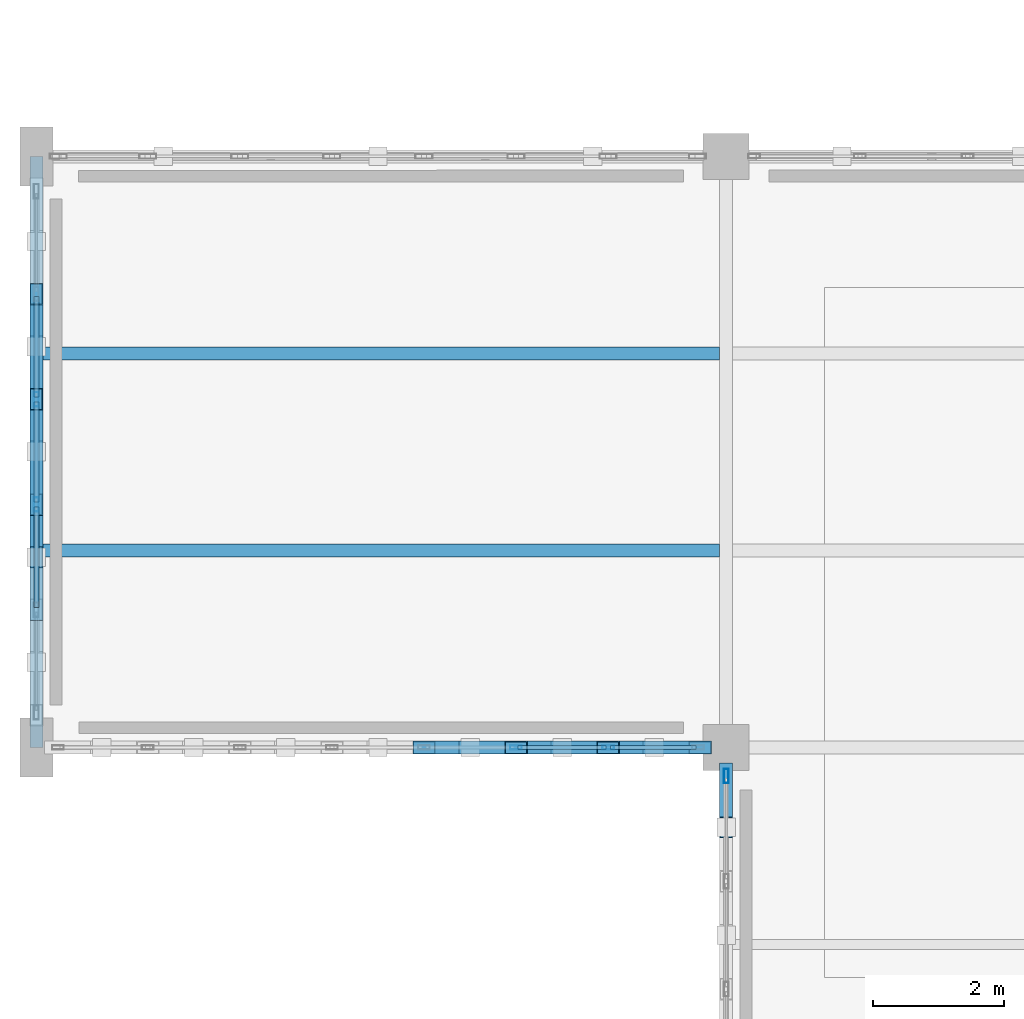
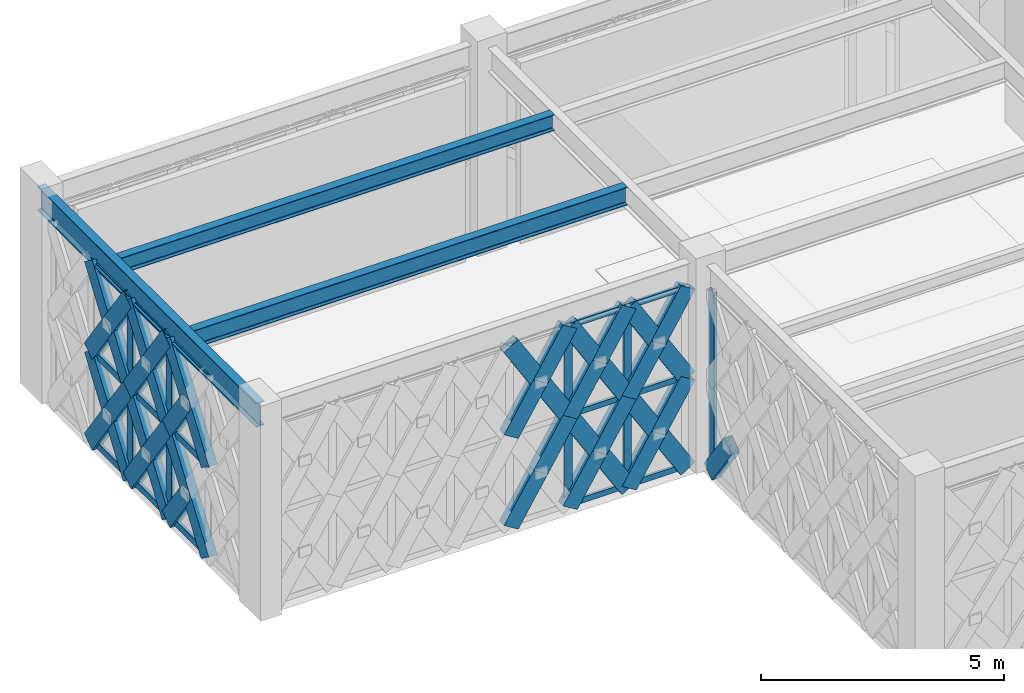
# One storey, part 5 of 72: 54 members, 3 beams, 3 elements without a shape of their own.
"""IFC4 building model written with IfcOpenShell, lengths in metres."""

from ifc_helpers import new_model, si_unit, direction, frame, origin, origin_2d, place, context, subcontext, project, spatial, hollow_rectangle, i_section, extrude, material, material_profile, profile_set, type_object, element, aggregate, save


model = new_model("IFC4")

# Units and contexts
model_context = context("Model", 3, precision=1e-05, world=origin(), true_north=direction((0.0, 1.0)))
body_context = subcontext(model_context, "Body", "Model", "MODEL_VIEW")
ifc_project = project(units=[si_unit("LENGTHUNIT", "METRE"), si_unit("AREAUNIT", "SQUARE_METRE"), si_unit("VOLUMEUNIT", "CUBIC_METRE"), si_unit("PLANEANGLEUNIT", "RADIAN"), si_unit("MASSUNIT", "GRAM", prefix="KILO")], contexts=[model_context])

# Site, building, storey
site_placement = place(None, origin())
site = spatial("IfcSite", under=ifc_project, at=site_placement, CompositionType="ELEMENT")
building_placement = place(site_placement, origin())
building = spatial("IfcBuilding", under=site, at=building_placement, Name="Haizhuo Lancet Aquarium", CompositionType="ELEMENT")
storey_placement = place(building_placement, frame((0.0, 0.0, 21.60009765625)))
storey = spatial("IfcBuildingStorey", under=building, at=storey_placement, Name="L04", CompositionType="ELEMENT", Elevation=21.60009765625)

# Beam
ifc_material_1 = material(Name="Steel S355", Category="steel")
ifc_material_profile_1 = material_profile(ifc_material_1, i_section(OverallWidth=0.199951171875, OverallDepth=0.60009765625, WebThickness=0.010986328125, FlangeThickness=0.01708984375, FilletRadius=0.02197265625, at=origin_2d()), Name="HN 600x200x11x17")
ifc_profile_set_1 = profile_set([ifc_material_profile_1], Name="Steel S355")
beam_type_1 = type_object("IfcBeamType", Name="BM-ST-HN600", PredefinedType="BEAM", material=ifc_profile_set_1)
beam_1_placement = place(storey_placement, frame((-82.5, -18.0, 4.849853515625), z_axis=(0.0, 1.0, 0.0), x_axis=(-1.0, 0.0, 0.0)))
element("IfcBeam", 1, at=beam_1_placement, inside=storey, type_object=beam_type_1, Name="L04 V6 primary girder BM-L04-V6-001", PredefinedType="BEAM", context=body_context, shape_type="SweptSolid", body=[
    extrude(i_section(OverallWidth=0.199951171875, OverallDepth=0.60009765625, WebThickness=0.010986328125, FlangeThickness=0.01708984375, FilletRadius=0.02197265625, at=origin_2d()), origin(), (0.0, 0.0, 1.0), 9.0),
])

# Curtain wall, members
ifc_material_2 = material(Name="Aluminium 6063-T6", Category="aluminium")
curtain_wall_type_1 = type_object("IfcCurtainWallType", Name="CWD-9810x4550", PredefinedType="NOTDEFINED", material=ifc_material_2)
curtain_wall_1_placement = place(storey_placement, origin())
curtain_wall_1 = element("IfcCurtainWall", 2, at=curtain_wall_1_placement, inside=storey, type_object=curtain_wall_type_1, Name="L04 curtain wall CW-V6-L04-244", PredefinedType="NOTDEFINED")
ifc_material_profile_2 = material_profile(ifc_material_2, hollow_rectangle(XDim=0.06494140625, YDim=0.179931640625, WallThickness=0.00390625, at=origin_2d()), Name="ALU-M 65x180x4")
ifc_profile_set_2 = profile_set([ifc_material_profile_2], Name="Aluminium 6063-T6")
member_type_1 = type_object("IfcMemberType", Name="CW-MUL-1", PredefinedType="MULLION", material=ifc_profile_set_2)
member_1_placement = place(storey_placement, frame((-73.7958984375, -18.0, 0.0), z_axis=(0.0, 0.0, 1.0), x_axis=(0.0, -1.0, 0.0)))
member_1 = element("IfcMember", 3, at=member_1_placement, type_object=member_type_1, Name="CWD-98x45 mullion 2", PredefinedType="MULLION", context=body_context, shape_type="SweptSolid", body=[
    extrude(hollow_rectangle(XDim=0.06494140625, YDim=0.179931640625, WallThickness=0.00390625, at=origin_2d()), origin(), (0.0, 0.0, 1.0), 4.5498046875),
])
member_2_placement = place(storey_placement, frame((-75.197998046875, -18.0, 0.0), z_axis=(0.0, 0.0, 1.0), x_axis=(0.0, -1.0, 0.0)))
member_2 = element("IfcMember", 4, at=member_2_placement, type_object=member_type_1, Name="CWD-98x45 mullion 3", PredefinedType="MULLION", context=body_context, shape_type="SweptSolid", body=[
    extrude(hollow_rectangle(XDim=0.06494140625, YDim=0.179931640625, WallThickness=0.00390625, at=origin_2d()), origin(), (0.0, 0.0, 1.0), 4.5498046875),
])

curtain_wall_type_2 = type_object("IfcCurtainWallType", Name="CWD-8010x4550", PredefinedType="NOTDEFINED", material=ifc_material_2)
curtain_wall_2_placement = place(storey_placement, origin())
curtain_wall_2 = element("IfcCurtainWall", 5, at=curtain_wall_2_placement, inside=storey, type_object=curtain_wall_type_2, Name="L04 curtain wall CW-V6-L04-245", PredefinedType="NOTDEFINED")
ifc_material_profile_3 = material_profile(ifc_material_2, hollow_rectangle(XDim=0.074951171875, YDim=0.219970703125, WallThickness=0.0048828125, at=origin_2d()), Name="ALU-M 75x220x5")
ifc_profile_set_3 = profile_set([ifc_material_profile_3], Name="Aluminium 6063-T6")
member_type_2 = type_object("IfcMemberType", Name="CW-MUL-2", PredefinedType="MULLION", material=ifc_profile_set_3)
member_3_placement = place(storey_placement, frame((-82.5, -14.301025390625, 0.0), z_axis=(0.0, 0.0, 1.0), x_axis=(-1.0, 0.0, 0.0)))
member_3 = element("IfcMember", 6, at=member_3_placement, type_object=member_type_2, Name="CWD-80x45 mullion 3", PredefinedType="MULLION", context=body_context, shape_type="SweptSolid", body=[
    extrude(hollow_rectangle(XDim=0.074951171875, YDim=0.219970703125, WallThickness=0.0048828125, at=origin_2d()), origin(), (0.0, 0.0, 1.0), 4.5498046875),
])
member_4_placement = place(storey_placement, frame((-82.5, -12.698974609375, 0.0), z_axis=(0.0, 0.0, 1.0), x_axis=(-1.0, 0.0, 0.0)))
member_4 = element("IfcMember", 7, at=member_4_placement, type_object=member_type_2, Name="CWD-80x45 mullion 4", PredefinedType="MULLION", context=body_context, shape_type="SweptSolid", body=[
    extrude(hollow_rectangle(XDim=0.074951171875, YDim=0.219970703125, WallThickness=0.0048828125, at=origin_2d()), origin(), (0.0, 0.0, 1.0), 4.5498046875),
])

# Curtain wall, member
curtain_wall_type_3 = type_object("IfcCurtainWallType", Name="CWD-8210x4550", PredefinedType="NOTDEFINED", material=ifc_material_2)
curtain_wall_3_placement = place(storey_placement, origin())
curtain_wall_3 = element("IfcCurtainWall", 8, at=curtain_wall_3_placement, inside=storey, type_object=curtain_wall_type_3, Name="L04 curtain wall CW-V6-L04-257", PredefinedType="NOTDEFINED")
member_5_placement = place(storey_placement, frame((-72.0, -18.431884765625, 0.0), z_axis=(0.0, 0.0, 1.0), x_axis=(-1.0, 0.0, 0.0)))
member_5 = element("IfcMember", 9, at=member_5_placement, type_object=member_type_2, Name="CWD-82x45 mullion 6", PredefinedType="MULLION", context=body_context, shape_type="SweptSolid", body=[
    extrude(hollow_rectangle(XDim=0.074951171875, YDim=0.219970703125, WallThickness=0.0048828125, at=origin_2d()), origin(), (0.0, 0.0, 1.0), 4.5498046875),
])
aggregate(curtain_wall_3, [member_5])

# Member
ifc_material_profile_4 = material_profile(ifc_material_2, hollow_rectangle(XDim=0.06494140625, YDim=0.139892578125, WallThickness=0.00390625, at=origin_2d()), Name="ALU-T 65x140x4")
ifc_profile_set_4 = profile_set([ifc_material_profile_4], Name="Aluminium 6063-T6")
member_type_3 = type_object("IfcMemberType", Name="CW-TRN-1", PredefinedType="NOTDEFINED", material=ifc_profile_set_4)
member_6_placement = place(storey_placement, frame((-72.4599609375, -18.0, 0.032958984375), z_axis=(-1.0, 0.0, 0.0), x_axis=(0.0, -1.0, 0.0)))
member_6 = element("IfcMember", 10, at=member_6_placement, type_object=member_type_3, Name="CWD-98x45 transom 1.1", ObjectType="TRANSOM", PredefinedType="USERDEFINED", context=body_context, shape_type="SweptSolid", body=[
    extrude(hollow_rectangle(XDim=0.06494140625, YDim=0.139892578125, WallThickness=0.00390625, at=origin_2d()), origin(), (0.0, 0.0, 1.0), 1.303955078125),
])

member_7_placement = place(storey_placement, frame((-72.4599609375, -18.0, 2.27490234375), z_axis=(-1.0, 0.0, 0.0), x_axis=(0.0, -1.0, 0.0)))
member_7 = element("IfcMember", 11, at=member_7_placement, type_object=member_type_3, Name="CWD-98x45 transom 1.2", ObjectType="TRANSOM", PredefinedType="USERDEFINED", context=body_context, shape_type="SweptSolid", body=[
    extrude(hollow_rectangle(XDim=0.06494140625, YDim=0.139892578125, WallThickness=0.00390625, at=origin_2d()), origin(), (0.0, 0.0, 1.0), 1.303955078125),
])

member_8_placement = place(storey_placement, frame((-72.4599609375, -18.0, 4.516845703125), z_axis=(-1.0, 0.0, 0.0), x_axis=(0.0, -1.0, 0.0)))
member_8 = element("IfcMember", 12, at=member_8_placement, type_object=member_type_3, Name="CWD-98x45 transom 1.3", ObjectType="TRANSOM", PredefinedType="USERDEFINED", context=body_context, shape_type="SweptSolid", body=[
    extrude(hollow_rectangle(XDim=0.06494140625, YDim=0.139892578125, WallThickness=0.00390625, at=origin_2d()), origin(), (0.0, 0.0, 1.0), 1.303955078125),
])

member_9_placement = place(storey_placement, frame((-73.8291015625, -18.0, 0.032958984375), z_axis=(-1.0, 0.0, 0.0), x_axis=(0.0, -1.0, 0.0)))
member_9 = element("IfcMember", 13, at=member_9_placement, type_object=member_type_3, Name="CWD-98x45 transom 2.1", ObjectType="TRANSOM", PredefinedType="USERDEFINED", context=body_context, shape_type="SweptSolid", body=[
    extrude(hollow_rectangle(XDim=0.06494140625, YDim=0.139892578125, WallThickness=0.00390625, at=origin_2d()), origin(), (0.0, 0.0, 1.0), 1.3359375),
])

member_10_placement = place(storey_placement, frame((-73.8291015625, -18.0, 2.27490234375), z_axis=(-1.0, 0.0, 0.0), x_axis=(0.0, -1.0, 0.0)))
member_10 = element("IfcMember", 14, at=member_10_placement, type_object=member_type_3, Name="CWD-98x45 transom 2.2", ObjectType="TRANSOM", PredefinedType="USERDEFINED", context=body_context, shape_type="SweptSolid", body=[
    extrude(hollow_rectangle(XDim=0.06494140625, YDim=0.139892578125, WallThickness=0.00390625, at=origin_2d()), origin(), (0.0, 0.0, 1.0), 1.3359375),
])

member_11_placement = place(storey_placement, frame((-73.8291015625, -18.0, 4.516845703125), z_axis=(-1.0, 0.0, 0.0), x_axis=(0.0, -1.0, 0.0)))
member_11 = element("IfcMember", 15, at=member_11_placement, type_object=member_type_3, Name="CWD-98x45 transom 2.3", ObjectType="TRANSOM", PredefinedType="USERDEFINED", context=body_context, shape_type="SweptSolid", body=[
    extrude(hollow_rectangle(XDim=0.06494140625, YDim=0.139892578125, WallThickness=0.00390625, at=origin_2d()), origin(), (0.0, 0.0, 1.0), 1.3359375),
])

aggregate(curtain_wall_1, [member_1, member_2, member_6, member_7, member_8, member_9, member_10, member_11])

ifc_material_profile_5 = material_profile(ifc_material_2, hollow_rectangle(XDim=0.074951171875, YDim=0.159912109375, WallThickness=0.00390625, at=origin_2d()), Name="ALU-T 75x160x4")
ifc_profile_set_5 = profile_set([ifc_material_profile_5], Name="Aluminium 6063-T6")
member_type_4 = type_object("IfcMemberType", Name="CW-TRN-2", PredefinedType="NOTDEFINED", material=ifc_profile_set_5)
member_12_placement = place(storey_placement, frame((-82.5, -15.864990234375, 0.037841796875), z_axis=(0.0, 1.0, 0.0), x_axis=(-1.0, 0.0, 0.0)))
member_12 = element("IfcMember", 16, at=member_12_placement, type_object=member_type_4, Name="CWD-80x45 transom 2.1", ObjectType="TRANSOM", PredefinedType="USERDEFINED", context=body_context, shape_type="SweptSolid", body=[
    extrude(hollow_rectangle(XDim=0.074951171875, YDim=0.159912109375, WallThickness=0.00390625, at=origin_2d()), origin(), (0.0, 0.0, 1.0), 1.527099609375),
])

member_13_placement = place(storey_placement, frame((-82.5, -15.864990234375, 2.27490234375), z_axis=(0.0, 1.0, 0.0), x_axis=(-1.0, 0.0, 0.0)))
member_13 = element("IfcMember", 17, at=member_13_placement, type_object=member_type_4, Name="CWD-80x45 transom 2.2", ObjectType="TRANSOM", PredefinedType="USERDEFINED", context=body_context, shape_type="SweptSolid", body=[
    extrude(hollow_rectangle(XDim=0.074951171875, YDim=0.159912109375, WallThickness=0.00390625, at=origin_2d()), origin(), (0.0, 0.0, 1.0), 1.527099609375),
])

member_14_placement = place(storey_placement, frame((-82.5, -15.864990234375, 4.511962890625), z_axis=(0.0, 1.0, 0.0), x_axis=(-1.0, 0.0, 0.0)))
member_14 = element("IfcMember", 18, at=member_14_placement, type_object=member_type_4, Name="CWD-80x45 transom 2.3", ObjectType="TRANSOM", PredefinedType="USERDEFINED", context=body_context, shape_type="SweptSolid", body=[
    extrude(hollow_rectangle(XDim=0.074951171875, YDim=0.159912109375, WallThickness=0.00390625, at=origin_2d()), origin(), (0.0, 0.0, 1.0), 1.527099609375),
])

member_15_placement = place(storey_placement, frame((-82.5, -14.262939453125, 0.037841796875), z_axis=(0.0, 1.0, 0.0), x_axis=(-1.0, 0.0, 0.0)))
member_15 = element("IfcMember", 19, at=member_15_placement, type_object=member_type_4, Name="CWD-80x45 transom 3.1", ObjectType="TRANSOM", PredefinedType="USERDEFINED", context=body_context, shape_type="SweptSolid", body=[
    extrude(hollow_rectangle(XDim=0.074951171875, YDim=0.159912109375, WallThickness=0.00390625, at=origin_2d()), origin(), (0.0, 0.0, 1.0), 1.52685546875),
])

member_16_placement = place(storey_placement, frame((-82.5, -14.262939453125, 2.27490234375), z_axis=(0.0, 1.0, 0.0), x_axis=(-1.0, 0.0, 0.0)))
member_16 = element("IfcMember", 20, at=member_16_placement, type_object=member_type_4, Name="CWD-80x45 transom 3.2", ObjectType="TRANSOM", PredefinedType="USERDEFINED", context=body_context, shape_type="SweptSolid", body=[
    extrude(hollow_rectangle(XDim=0.074951171875, YDim=0.159912109375, WallThickness=0.00390625, at=origin_2d()), origin(), (0.0, 0.0, 1.0), 1.52685546875),
])

member_17_placement = place(storey_placement, frame((-82.5, -14.262939453125, 4.511962890625), z_axis=(0.0, 1.0, 0.0), x_axis=(-1.0, 0.0, 0.0)))
member_17 = element("IfcMember", 21, at=member_17_placement, type_object=member_type_4, Name="CWD-80x45 transom 3.3", ObjectType="TRANSOM", PredefinedType="USERDEFINED", context=body_context, shape_type="SweptSolid", body=[
    extrude(hollow_rectangle(XDim=0.074951171875, YDim=0.159912109375, WallThickness=0.00390625, at=origin_2d()), origin(), (0.0, 0.0, 1.0), 1.52685546875),
])

member_18_placement = place(storey_placement, frame((-82.5, -12.662109375, 0.037841796875), z_axis=(0.0, 1.0, 0.0), x_axis=(-1.0, 0.0, 0.0)))
member_18 = element("IfcMember", 22, at=member_18_placement, type_object=member_type_4, Name="CWD-80x45 transom 4.1", ObjectType="TRANSOM", PredefinedType="USERDEFINED", context=body_context, shape_type="SweptSolid", body=[
    extrude(hollow_rectangle(XDim=0.074951171875, YDim=0.159912109375, WallThickness=0.00390625, at=origin_2d()), origin(), (0.0, 0.0, 1.0), 1.528076171875),
])

member_19_placement = place(storey_placement, frame((-82.5, -12.662109375, 2.27490234375), z_axis=(0.0, 1.0, 0.0), x_axis=(-1.0, 0.0, 0.0)))
member_19 = element("IfcMember", 23, at=member_19_placement, type_object=member_type_4, Name="CWD-80x45 transom 4.2", ObjectType="TRANSOM", PredefinedType="USERDEFINED", context=body_context, shape_type="SweptSolid", body=[
    extrude(hollow_rectangle(XDim=0.074951171875, YDim=0.159912109375, WallThickness=0.00390625, at=origin_2d()), origin(), (0.0, 0.0, 1.0), 1.528076171875),
])

member_20_placement = place(storey_placement, frame((-82.5, -12.662109375, 4.511962890625), z_axis=(0.0, 1.0, 0.0), x_axis=(-1.0, 0.0, 0.0)))
member_20 = element("IfcMember", 24, at=member_20_placement, type_object=member_type_4, Name="CWD-80x45 transom 4.3", ObjectType="TRANSOM", PredefinedType="USERDEFINED", context=body_context, shape_type="SweptSolid", body=[
    extrude(hollow_rectangle(XDim=0.074951171875, YDim=0.159912109375, WallThickness=0.00390625, at=origin_2d()), origin(), (0.0, 0.0, 1.0), 1.528076171875),
])

aggregate(curtain_wall_2, [member_3, member_4, member_12, member_13, member_14, member_15, member_16, member_17, member_18, member_19, member_20])

# Beams
ifc_material_profile_6 = material_profile(ifc_material_1, i_section(OverallWidth=0.199951171875, OverallDepth=0.39990234375, WebThickness=0.008056640625, FlangeThickness=0.012939453125, FilletRadius=0.01611328125, at=origin_2d()), Name="HN 400x200x8x13")
ifc_profile_set_6 = profile_set([ifc_material_profile_6], Name="Steel S355")
beam_type_2 = type_object("IfcBeamType", Name="JST-ST-HN400", PredefinedType="JOIST", material=ifc_profile_set_6)
beam_2_placement = place(storey_placement, frame((-82.39990234375, -12.0, 4.949951171875), z_axis=(1.0, 0.0, 0.0), x_axis=(0.0, 1.0, 0.0)))
element("IfcBeam", 25, at=beam_2_placement, inside=storey, type_object=beam_type_2, Name="L04 V6 secondary floor joist 2", PredefinedType="JOIST", context=body_context, shape_type="SweptSolid", body=[
    extrude(i_section(OverallWidth=0.199951171875, OverallDepth=0.39990234375, WebThickness=0.008056640625, FlangeThickness=0.012939453125, FilletRadius=0.01611328125, at=origin_2d()), origin(), (0.0, 0.0, 1.0), 10.2998046875),
])
ifc_material_profile_7 = material_profile(ifc_material_1, i_section(OverallWidth=0.199951171875, OverallDepth=0.449951171875, WebThickness=0.009033203125, FlangeThickness=0.013916015625, FilletRadius=0.01806640625, at=origin_2d()), Name="HN 450x200x9x14")
ifc_profile_set_7 = profile_set([ifc_material_profile_7], Name="Steel S355")
beam_type_3 = type_object("IfcBeamType", Name="JST-ST-HN450", PredefinedType="JOIST", material=ifc_profile_set_7)
beam_3_placement = place(storey_placement, frame((-82.39990234375, -15.0, 4.9248046875), z_axis=(1.0, 0.0, 0.0), x_axis=(0.0, 1.0, 0.0)))
element("IfcBeam", 26, at=beam_3_placement, inside=storey, type_object=beam_type_3, Name="L04 V6 secondary floor joist 1", PredefinedType="JOIST", context=body_context, shape_type="SweptSolid", body=[
    extrude(i_section(OverallWidth=0.199951171875, OverallDepth=0.449951171875, WebThickness=0.009033203125, FlangeThickness=0.013916015625, FilletRadius=0.01806640625, at=origin_2d()), origin(), (0.0, 0.0, 1.0), 10.2998046875),
])

# Members
ifc_material_profile_8 = material_profile(ifc_material_1, hollow_rectangle(XDim=0.199951171875, YDim=0.39990234375, WallThickness=0.011962890625, at=origin_2d()), Name="RHS 200x400x12")
ifc_profile_set_8 = profile_set([ifc_material_profile_8], Name="Steel S355")
member_type_5 = type_object("IfcMemberType", Name="MEM-LB-RHS200x400", PredefinedType="BRACE", material=ifc_profile_set_8)
member_21_placement = place(storey_placement, frame((-72.39501953125, -18.0, 0.0), z_axis=(-0.524352331685, 0.0, 0.851501398857), x_axis=(0.0, -1.0, 0.0)))
element("IfcMember", 27, at=member_21_placement, inside=storey, type_object=member_type_5, Name="Gothic lancet continuous diagonal brace CW-V6-L04-244 1A", PredefinedType="BRACE", context=body_context, shape_type="SweptSolid", body=[
    extrude(hollow_rectangle(XDim=0.199951171875, YDim=0.39990234375, WallThickness=0.011962890625, at=origin_2d()), origin(), (0.0, 0.0, 1.0), 2.671630859375),
])
member_22_placement = place(storey_placement, frame((-73.7958984375, -18.0, 0.0), z_axis=(0.523924083499, 0.0, 0.851764964488), x_axis=(0.0, 1.0, 0.0)))
element("IfcMember", 28, at=member_22_placement, inside=storey, type_object=member_type_5, Name="Gothic lancet split diagonal brace CW-V6-L04-244 1B1", PredefinedType="BRACE", context=body_context, shape_type="SweptSolid", body=[
    extrude(hollow_rectangle(XDim=0.199951171875, YDim=0.39990234375, WallThickness=0.011962890625, at=origin_2d()), origin(), (0.0, 0.0, 1.0), 1.3359375),
])
member_23_placement = place(storey_placement, frame((-73.095947265625, -18.0, 1.137939453125), z_axis=(0.524780549669, 0.0, 0.851237554792), x_axis=(0.0, 1.0, 0.0)))
element("IfcMember", 29, at=member_23_placement, inside=storey, type_object=member_type_5, Name="Gothic lancet split diagonal brace CW-V6-L04-244 1B2", PredefinedType="BRACE", context=body_context, shape_type="SweptSolid", body=[
    extrude(hollow_rectangle(XDim=0.199951171875, YDim=0.39990234375, WallThickness=0.011962890625, at=origin_2d()), origin(), (0.0, 0.0, 1.0), 1.335693359375),
])
member_24_placement = place(storey_placement, frame((-72.39501953125, -18.0, 2.27490234375), z_axis=(-0.524352331685, 0.0, 0.851501398857), x_axis=(0.0, -1.0, 0.0)))
element("IfcMember", 30, at=member_24_placement, inside=storey, type_object=member_type_5, Name="Gothic lancet continuous diagonal brace CW-V6-L04-244 2A", PredefinedType="BRACE", context=body_context, shape_type="SweptSolid", body=[
    extrude(hollow_rectangle(XDim=0.199951171875, YDim=0.39990234375, WallThickness=0.011962890625, at=origin_2d()), origin(), (0.0, 0.0, 1.0), 2.671630859375),
])
member_25_placement = place(storey_placement, frame((-73.7958984375, -18.0, 2.27490234375), z_axis=(0.524250451866, 0.0, 0.851564127778), x_axis=(0.0, 1.0, 0.0)))
element("IfcMember", 31, at=member_25_placement, inside=storey, type_object=member_type_5, Name="Gothic lancet split diagonal brace CW-V6-L04-244 2B1", PredefinedType="BRACE", context=body_context, shape_type="SweptSolid", body=[
    extrude(hollow_rectangle(XDim=0.199951171875, YDim=0.39990234375, WallThickness=0.011962890625, at=origin_2d()), origin(), (0.0, 0.0, 1.0), 1.335205078125),
])
member_26_placement = place(storey_placement, frame((-73.095947265625, -18.0, 3.411865234375), z_axis=(0.524454101588, 0.0, 0.851438720829), x_axis=(0.0, 1.0, 0.0)))
element("IfcMember", 32, at=member_26_placement, inside=storey, type_object=member_type_5, Name="Gothic lancet split diagonal brace CW-V6-L04-244 2B2", PredefinedType="BRACE", context=body_context, shape_type="SweptSolid", body=[
    extrude(hollow_rectangle(XDim=0.199951171875, YDim=0.39990234375, WallThickness=0.011962890625, at=origin_2d()), origin(), (0.0, 0.0, 1.0), 1.33642578125),
])
member_27_placement = place(storey_placement, frame((-73.7958984375, -18.0, 0.0), z_axis=(-0.524683498881, 0.0, 0.851297378125), x_axis=(0.0, -1.0, 0.0)))
element("IfcMember", 33, at=member_27_placement, inside=storey, type_object=member_type_5, Name="Gothic lancet continuous diagonal brace CW-V6-L04-244 3A", PredefinedType="BRACE", context=body_context, shape_type="SweptSolid", body=[
    extrude(hollow_rectangle(XDim=0.199951171875, YDim=0.39990234375, WallThickness=0.011962890625, at=origin_2d()), origin(), (0.0, 0.0, 1.0), 2.67236328125),
])
member_28_placement = place(storey_placement, frame((-75.197998046875, -18.0, 0.0), z_axis=(0.524454101588, 0.0, 0.851438720829), x_axis=(0.0, 1.0, 0.0)))
element("IfcMember", 34, at=member_28_placement, inside=storey, type_object=member_type_5, Name="Gothic lancet split diagonal brace CW-V6-L04-244 3B1", PredefinedType="BRACE", context=body_context, shape_type="SweptSolid", body=[
    extrude(hollow_rectangle(XDim=0.199951171875, YDim=0.39990234375, WallThickness=0.011962890625, at=origin_2d()), origin(), (0.0, 0.0, 1.0), 1.33642578125),
])
member_29_placement = place(storey_placement, frame((-74.4970703125, -18.0, 1.137939453125), z_axis=(0.524912978821, 0.0, 0.851155899154), x_axis=(0.0, 1.0, 0.0)))
element("IfcMember", 35, at=member_29_placement, inside=storey, type_object=member_type_5, Name="Gothic lancet split diagonal brace CW-V6-L04-244 3B2", PredefinedType="BRACE", context=body_context, shape_type="SweptSolid", body=[
    extrude(hollow_rectangle(XDim=0.199951171875, YDim=0.39990234375, WallThickness=0.011962890625, at=origin_2d()), origin(), (0.0, 0.0, 1.0), 1.335693359375),
])
member_30_placement = place(storey_placement, frame((-73.7958984375, -18.0, 2.27490234375), z_axis=(-0.524683498881, 0.0, 0.851297378125), x_axis=(0.0, -1.0, 0.0)))
element("IfcMember", 36, at=member_30_placement, inside=storey, type_object=member_type_5, Name="Gothic lancet continuous diagonal brace CW-V6-L04-244 4A", PredefinedType="BRACE", context=body_context, shape_type="SweptSolid", body=[
    extrude(hollow_rectangle(XDim=0.199951171875, YDim=0.39990234375, WallThickness=0.011962890625, at=origin_2d()), origin(), (0.0, 0.0, 1.0), 2.67236328125),
])
member_31_placement = place(storey_placement, frame((-75.197998046875, -18.0, 2.27490234375), z_axis=(0.524780549669, 0.0, 0.851237554792), x_axis=(0.0, 1.0, 0.0)))
element("IfcMember", 37, at=member_31_placement, inside=storey, type_object=member_type_5, Name="Gothic lancet split diagonal brace CW-V6-L04-244 4B1", PredefinedType="BRACE", context=body_context, shape_type="SweptSolid", body=[
    extrude(hollow_rectangle(XDim=0.199951171875, YDim=0.39990234375, WallThickness=0.011962890625, at=origin_2d()), origin(), (0.0, 0.0, 1.0), 1.335693359375),
])
for number, where, z_axis, x_axis, name in (
    (38, (-74.4970703125, -18.0, 3.411865234375), (0.524586510944, 0.0, 0.851357147462), (0.0, 1.0, 0.0), "Gothic lancet split diagonal brace CW-V6-L04-244 4B2"),
    (39, (-76.59912109375, -18.0, 0.0), (0.524586510944, 0.0, 0.851357147462), (0.0, 1.0, 0.0), "Gothic lancet split diagonal brace CW-V6-L04-244 5B1"),
):
    element("IfcMember", number, at=place(storey_placement, frame(where, z_axis=z_axis, x_axis=x_axis)), inside=storey, type_object=member_type_5, Name=name, PredefinedType="BRACE", context=body_context, shape_type="SweptSolid", body=[
        extrude(hollow_rectangle(XDim=0.199951171875, YDim=0.39990234375, WallThickness=0.011962890625, at=origin_2d()), origin(), (0.0, 0.0, 1.0), 1.336669921875),
    ])
member_32_placement = place(storey_placement, frame((-75.89794921875, -18.0, 1.137939453125), z_axis=(0.524250451866, 0.0, 0.851564127778), x_axis=(0.0, 1.0, 0.0)))
element("IfcMember", 40, at=member_32_placement, inside=storey, type_object=member_type_5, Name="Gothic lancet split diagonal brace CW-V6-L04-244 5B2", PredefinedType="BRACE", context=body_context, shape_type="SweptSolid", body=[
    extrude(hollow_rectangle(XDim=0.199951171875, YDim=0.39990234375, WallThickness=0.011962890625, at=origin_2d()), origin(), (0.0, 0.0, 1.0), 1.335205078125),
])
member_33_placement = place(storey_placement, frame((-75.197998046875, -18.0, 2.27490234375), z_axis=(-0.524418584171, 0.0, 0.851460597195), x_axis=(0.0, -1.0, 0.0)))
element("IfcMember", 41, at=member_33_placement, inside=storey, type_object=member_type_5, Name="Gothic lancet continuous diagonal brace CW-V6-L04-244 6A", PredefinedType="BRACE", context=body_context, shape_type="SweptSolid", body=[
    extrude(hollow_rectangle(XDim=0.199951171875, YDim=0.39990234375, WallThickness=0.011962890625, at=origin_2d()), origin(), (0.0, 0.0, 1.0), 2.671875),
])
member_34_placement = place(storey_placement, frame((-76.59912109375, -18.0, 2.27490234375), z_axis=(0.524912978821, 0.0, 0.851155899154), x_axis=(0.0, 1.0, 0.0)))
element("IfcMember", 42, at=member_34_placement, inside=storey, type_object=member_type_5, Name="Gothic lancet split diagonal brace CW-V6-L04-244 6B1", PredefinedType="BRACE", context=body_context, shape_type="SweptSolid", body=[
    extrude(hollow_rectangle(XDim=0.199951171875, YDim=0.39990234375, WallThickness=0.011962890625, at=origin_2d()), origin(), (0.0, 0.0, 1.0), 1.335693359375),
])
member_35_placement = place(storey_placement, frame((-75.89794921875, -18.0, 3.411865234375), z_axis=(0.523924083499, 0.0, 0.851764964488), x_axis=(0.0, 1.0, 0.0)))
element("IfcMember", 43, at=member_35_placement, inside=storey, type_object=member_type_5, Name="Gothic lancet split diagonal brace CW-V6-L04-244 6B2", PredefinedType="BRACE", context=body_context, shape_type="SweptSolid", body=[
    extrude(hollow_rectangle(XDim=0.199951171875, YDim=0.39990234375, WallThickness=0.011962890625, at=origin_2d()), origin(), (0.0, 0.0, 1.0), 1.3359375),
])
member_36_placement = place(storey_placement, frame((-82.5, -15.903076171875, 0.0), z_axis=(0.0, 0.575780271556, 0.817604475824), x_axis=(-1.0, 0.0, 0.0)))
element("IfcMember", 44, at=member_36_placement, inside=storey, type_object=member_type_5, Name="Gothic lancet continuous diagonal brace CW-V6-L04-245 3A", PredefinedType="BRACE", context=body_context, shape_type="SweptSolid", body=[
    extrude(hollow_rectangle(XDim=0.199951171875, YDim=0.39990234375, WallThickness=0.011962890625, at=origin_2d()), origin(), (0.0, 0.0, 1.0), 2.782470703125),
])
member_37_placement = place(storey_placement, frame((-82.5, -14.301025390625, 0.0), z_axis=(0.0, -0.575615080373, 0.817720783182), x_axis=(1.0, 0.0, 0.0)))
element("IfcMember", 45, at=member_37_placement, inside=storey, type_object=member_type_5, Name="Gothic lancet split diagonal brace CW-V6-L04-245 3B1", PredefinedType="BRACE", context=body_context, shape_type="SweptSolid", body=[
    extrude(hollow_rectangle(XDim=0.199951171875, YDim=0.39990234375, WallThickness=0.011962890625, at=origin_2d()), origin(), (0.0, 0.0, 1.0), 1.3916015625),
])
member_38_placement = place(storey_placement, frame((-82.5, -15.903076171875, 2.27490234375), z_axis=(0.0, 0.575780271556, 0.817604475824), x_axis=(-1.0, 0.0, 0.0)))
element("IfcMember", 46, at=member_38_placement, inside=storey, type_object=member_type_5, Name="Gothic lancet continuous diagonal brace CW-V6-L04-245 4A", PredefinedType="BRACE", context=body_context, shape_type="SweptSolid", body=[
    extrude(hollow_rectangle(XDim=0.199951171875, YDim=0.39990234375, WallThickness=0.011962890625, at=origin_2d()), origin(), (0.0, 0.0, 1.0), 2.782470703125),
])
member_39_placement = place(storey_placement, frame((-82.5, -14.301025390625, 2.27490234375), z_axis=(0.0, -0.575945534052, 0.817488068296), x_axis=(1.0, 0.0, 0.0)))
element("IfcMember", 47, at=member_39_placement, inside=storey, type_object=member_type_5, Name="Gothic lancet split diagonal brace CW-V6-L04-245 4B1", PredefinedType="BRACE", context=body_context, shape_type="SweptSolid", body=[
    extrude(hollow_rectangle(XDim=0.199951171875, YDim=0.39990234375, WallThickness=0.011962890625, at=origin_2d()), origin(), (0.0, 0.0, 1.0), 1.390869140625),
])
member_40_placement = place(storey_placement, frame((-82.5, -14.301025390625, 0.0), z_axis=(0.0, 0.575780271556, 0.817604475824), x_axis=(-1.0, 0.0, 0.0)))
element("IfcMember", 48, at=member_40_placement, inside=storey, type_object=member_type_5, Name="Gothic lancet continuous diagonal brace CW-V6-L04-245 5A", PredefinedType="BRACE", context=body_context, shape_type="SweptSolid", body=[
    extrude(hollow_rectangle(XDim=0.199951171875, YDim=0.39990234375, WallThickness=0.011962890625, at=origin_2d()), origin(), (0.0, 0.0, 1.0), 2.782470703125),
])
member_41_placement = place(storey_placement, frame((-82.5, -12.698974609375, 0.0), z_axis=(0.0, -0.575615080373, 0.817720783182), x_axis=(1.0, 0.0, 0.0)))
element("IfcMember", 49, at=member_41_placement, inside=storey, type_object=member_type_5, Name="Gothic lancet split diagonal brace CW-V6-L04-245 5B1", PredefinedType="BRACE", context=body_context, shape_type="SweptSolid", body=[
    extrude(hollow_rectangle(XDim=0.199951171875, YDim=0.39990234375, WallThickness=0.011962890625, at=origin_2d()), origin(), (0.0, 0.0, 1.0), 1.3916015625),
])
member_42_placement = place(storey_placement, frame((-82.5, -13.5, 1.137939453125), z_axis=(0.0, -0.575945534052, 0.817488068296), x_axis=(1.0, 0.0, 0.0)))
element("IfcMember", 50, at=member_42_placement, inside=storey, type_object=member_type_5, Name="Gothic lancet split diagonal brace CW-V6-L04-245 5B2", PredefinedType="BRACE", context=body_context, shape_type="SweptSolid", body=[
    extrude(hollow_rectangle(XDim=0.199951171875, YDim=0.39990234375, WallThickness=0.011962890625, at=origin_2d()), origin(), (0.0, 0.0, 1.0), 1.390869140625),
])
member_43_placement = place(storey_placement, frame((-82.5, -14.301025390625, 2.27490234375), z_axis=(0.0, 0.575780271556, 0.817604475824), x_axis=(-1.0, 0.0, 0.0)))
element("IfcMember", 51, at=member_43_placement, inside=storey, type_object=member_type_5, Name="Gothic lancet continuous diagonal brace CW-V6-L04-245 6A", PredefinedType="BRACE", context=body_context, shape_type="SweptSolid", body=[
    extrude(hollow_rectangle(XDim=0.199951171875, YDim=0.39990234375, WallThickness=0.011962890625, at=origin_2d()), origin(), (0.0, 0.0, 1.0), 2.782470703125),
])
member_44_placement = place(storey_placement, frame((-82.5, -12.698974609375, 2.27490234375), z_axis=(0.0, -0.575945534052, 0.817488068296), x_axis=(1.0, 0.0, 0.0)))
element("IfcMember", 52, at=member_44_placement, inside=storey, type_object=member_type_5, Name="Gothic lancet split diagonal brace CW-V6-L04-245 6B1", PredefinedType="BRACE", context=body_context, shape_type="SweptSolid", body=[
    extrude(hollow_rectangle(XDim=0.199951171875, YDim=0.39990234375, WallThickness=0.011962890625, at=origin_2d()), origin(), (0.0, 0.0, 1.0), 1.390869140625),
])
member_45_placement = place(storey_placement, frame((-82.5, -13.5, 3.411865234375), z_axis=(0.0, -0.575615080373, 0.817720783182), x_axis=(1.0, 0.0, 0.0)))
element("IfcMember", 53, at=member_45_placement, inside=storey, type_object=member_type_5, Name="Gothic lancet split diagonal brace CW-V6-L04-245 6B2", PredefinedType="BRACE", context=body_context, shape_type="SweptSolid", body=[
    extrude(hollow_rectangle(XDim=0.199951171875, YDim=0.39990234375, WallThickness=0.011962890625, at=origin_2d()), origin(), (0.0, 0.0, 1.0), 1.3916015625),
])
member_46_placement = place(storey_placement, frame((-82.5, -12.698974609375, 0.0), z_axis=(0.0, 0.575780271556, 0.817604475824), x_axis=(-1.0, 0.0, 0.0)))
element("IfcMember", 54, at=member_46_placement, inside=storey, type_object=member_type_5, Name="Gothic lancet continuous diagonal brace CW-V6-L04-245 7A", PredefinedType="BRACE", context=body_context, shape_type="SweptSolid", body=[
    extrude(hollow_rectangle(XDim=0.199951171875, YDim=0.39990234375, WallThickness=0.011962890625, at=origin_2d()), origin(), (0.0, 0.0, 1.0), 2.782470703125),
])
member_47_placement = place(storey_placement, frame((-82.5, -11.096923828125, 0.0), z_axis=(0.0, -0.575615080373, 0.817720783182), x_axis=(1.0, 0.0, 0.0)))
element("IfcMember", 55, at=member_47_placement, inside=storey, type_object=member_type_5, Name="Gothic lancet split diagonal brace CW-V6-L04-245 7B1", PredefinedType="BRACE", context=body_context, shape_type="SweptSolid", body=[
    extrude(hollow_rectangle(XDim=0.199951171875, YDim=0.39990234375, WallThickness=0.011962890625, at=origin_2d()), origin(), (0.0, 0.0, 1.0), 1.3916015625),
])
member_48_placement = place(storey_placement, frame((-82.5, -11.89794921875, 1.137939453125), z_axis=(0.0, -0.575945534052, 0.817488068296), x_axis=(1.0, 0.0, 0.0)))
element("IfcMember", 56, at=member_48_placement, inside=storey, type_object=member_type_5, Name="Gothic lancet split diagonal brace CW-V6-L04-245 7B2", PredefinedType="BRACE", context=body_context, shape_type="SweptSolid", body=[
    extrude(hollow_rectangle(XDim=0.199951171875, YDim=0.39990234375, WallThickness=0.011962890625, at=origin_2d()), origin(), (0.0, 0.0, 1.0), 1.390869140625),
])
member_49_placement = place(storey_placement, frame((-82.5, -12.698974609375, 2.27490234375), z_axis=(0.0, 0.575780271556, 0.817604475824), x_axis=(-1.0, 0.0, 0.0)))
element("IfcMember", 57, at=member_49_placement, inside=storey, type_object=member_type_5, Name="Gothic lancet continuous diagonal brace CW-V6-L04-245 8A", PredefinedType="BRACE", context=body_context, shape_type="SweptSolid", body=[
    extrude(hollow_rectangle(XDim=0.199951171875, YDim=0.39990234375, WallThickness=0.011962890625, at=origin_2d()), origin(), (0.0, 0.0, 1.0), 2.782470703125),
])
member_50_placement = place(storey_placement, frame((-82.5, -11.096923828125, 2.27490234375), z_axis=(0.0, -0.575945534052, 0.817488068296), x_axis=(1.0, 0.0, 0.0)))
element("IfcMember", 58, at=member_50_placement, inside=storey, type_object=member_type_5, Name="Gothic lancet split diagonal brace CW-V6-L04-245 8B1", PredefinedType="BRACE", context=body_context, shape_type="SweptSolid", body=[
    extrude(hollow_rectangle(XDim=0.199951171875, YDim=0.39990234375, WallThickness=0.011962890625, at=origin_2d()), origin(), (0.0, 0.0, 1.0), 1.390869140625),
])
member_51_placement = place(storey_placement, frame((-82.5, -11.89794921875, 3.411865234375), z_axis=(0.0, -0.575615080373, 0.817720783182), x_axis=(1.0, 0.0, 0.0)))
element("IfcMember", 59, at=member_51_placement, inside=storey, type_object=member_type_5, Name="Gothic lancet split diagonal brace CW-V6-L04-245 8B2", PredefinedType="BRACE", context=body_context, shape_type="SweptSolid", body=[
    extrude(hollow_rectangle(XDim=0.199951171875, YDim=0.39990234375, WallThickness=0.011962890625, at=origin_2d()), origin(), (0.0, 0.0, 1.0), 1.3916015625),
])
member_52_placement = place(storey_placement, frame((-72.0, -18.39501953125, 0.0), z_axis=(0.0, -0.585115697402, 0.810949826224), x_axis=(1.0, 0.0, 0.0)))
element("IfcMember", 60, at=member_52_placement, inside=storey, type_object=member_type_5, Name="Gothic lancet split diagonal brace CW-V6-L04-257 9B1", PredefinedType="BRACE", context=body_context, shape_type="SweptSolid", body=[
    extrude(hollow_rectangle(XDim=0.199951171875, YDim=0.39990234375, WallThickness=0.011962890625, at=origin_2d()), origin(), (0.0, 0.0, 1.0), 1.4033203125),
])

save(model, "model.ifc")
